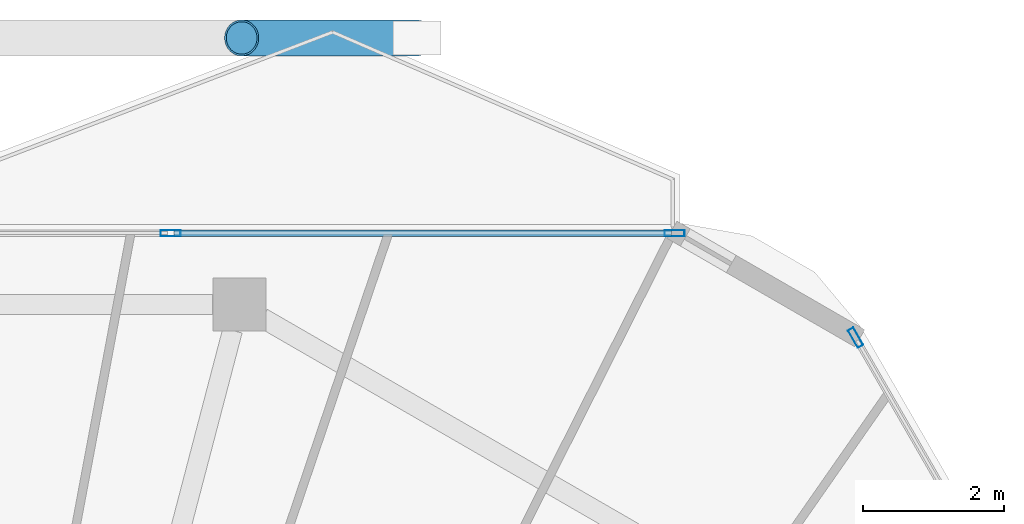
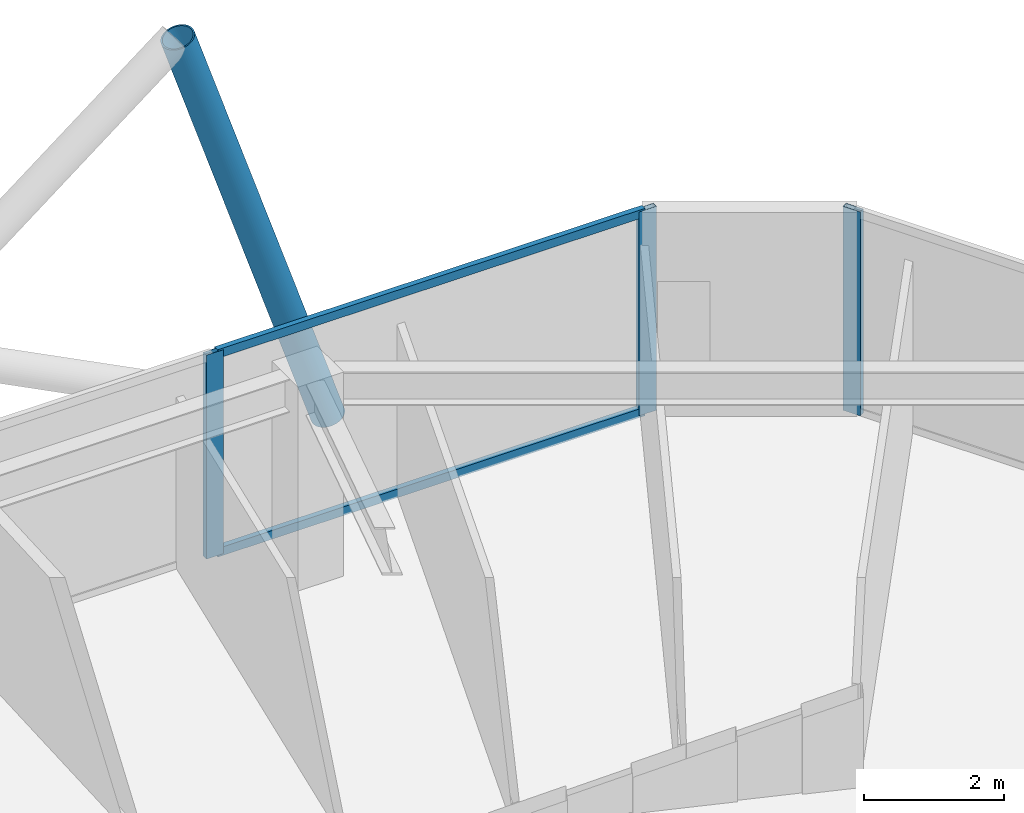
# One storey, part 14 of 23: 6 members, 2 elements without a shape of their own.
"""IFC4 building model written with IfcOpenShell, lengths in metres."""

from ifc_helpers import new_model, si_unit, direction, frame, origin, origin_2d, place, context, subcontext, project, spatial, hollow_rectangle, hollow_circle, extrude, material, material_profile, profile_set, type_object, element, aggregate, save


model = new_model("IFC4")

# Units and contexts
model_context = context("Model", 3, precision=1e-05, world=origin(), true_north=direction((0.0, 1.0)))
body_context = subcontext(model_context, "Body", "Model", "MODEL_VIEW")
ifc_project = project(units=[si_unit("LENGTHUNIT", "METRE"), si_unit("AREAUNIT", "SQUARE_METRE"), si_unit("VOLUMEUNIT", "CUBIC_METRE"), si_unit("PLANEANGLEUNIT", "RADIAN"), si_unit("MASSUNIT", "GRAM", prefix="KILO")], contexts=[model_context])

# Site, building, storey
site_placement = place(None, origin())
site = spatial("IfcSite", under=ifc_project, at=site_placement, CompositionType="ELEMENT")
building_placement = place(site_placement, origin())
building = spatial("IfcBuilding", under=site, at=building_placement, Name="Zuhravey Tower", CompositionType="ELEMENT")
storey_placement = place(building_placement, frame((0.0, 0.0, 346.199951171875)))
storey = spatial("IfcBuildingStorey", under=building, at=storey_placement, Name="L88", CompositionType="ELEMENT", Elevation=346.199951171875)

# Curtain wall, members
ifc_material_1 = material(Name="Thermally broken anodised aluminium", Category="aluminium")
curtain_wall_type = type_object("IfcCurtainWallType", Name="Zone 3-4 High-Rise Curtain Wall CW4", PredefinedType="NOTDEFINED", material=ifc_material_1)
curtain_wall_1_placement = place(storey_placement, origin())
curtain_wall_1 = element("IfcCurtainWall", 1, at=curtain_wall_1_placement, inside=storey, type_object=curtain_wall_type, Name="L88 CW4 CW-L88-F2-2", PredefinedType="NOTDEFINED")
ifc_material_2 = material(Name="Anodised aluminium", Category="aluminium")
ifc_material_profile_1 = material_profile(ifc_material_2, hollow_rectangle(XDim=0.090087890625, YDim=0.284912109375, WallThickness=0.0048828125, at=origin_2d()), Name="ALU-RHS-90x285x5")
ifc_profile_set_1 = profile_set([ifc_material_profile_1], Name="Anodised aluminium")
member_type_1 = type_object("IfcMemberType", Name="Curtain-Wall Mullion 90x180", PredefinedType="MULLION", material=ifc_profile_set_1)
member_1_placement = place(storey_placement, frame((41.068603515625, 56.07421875, 0.0), z_axis=(0.0, 0.0, 1.0), x_axis=(0.0, 1.0, 0.0)))
member_1 = element("IfcMember", 2, at=member_1_placement, type_object=member_type_1, Name="CW4 mullion 2", PredefinedType="MULLION", context=body_context, shape_type="SweptSolid", body=[
    extrude(hollow_rectangle(XDim=0.090087890625, YDim=0.284912109375, WallThickness=0.0048828125, at=origin_2d()), origin(), (0.0, 0.0, 1.0), 3.550048828125),
])
member_2_placement = place(storey_placement, frame((48.1943359375, 56.07421875, 0.0), z_axis=(0.0, 0.0, 1.0), x_axis=(0.0, 1.0, 0.0)))
member_2 = element("IfcMember", 3, at=member_2_placement, type_object=member_type_1, Name="CW4 mullion 3", PredefinedType="MULLION", context=body_context, shape_type="SweptSolid", body=[
    extrude(hollow_rectangle(XDim=0.090087890625, YDim=0.284912109375, WallThickness=0.0048828125, at=origin_2d()), origin(), (0.0, 0.0, 1.0), 3.550048828125),
])

# Curtain wall, member
curtain_wall_2_placement = place(storey_placement, origin())
curtain_wall_2 = element("IfcCurtainWall", 4, at=curtain_wall_2_placement, inside=storey, type_object=curtain_wall_type, Name="L88 CW4 CW-L88-F1-1", PredefinedType="NOTDEFINED")
member_3_placement = place(storey_placement, frame((50.751708984375, 54.59765625, 0.0), z_axis=(0.0, 0.0, 1.0), x_axis=(0.866025511541, 0.49999981336, 0.0)))
member_3 = element("IfcMember", 5, at=member_3_placement, type_object=member_type_1, Name="CW4 mullion 1", PredefinedType="MULLION", context=body_context, shape_type="SweptSolid", body=[
    extrude(hollow_rectangle(XDim=0.090087890625, YDim=0.284912109375, WallThickness=0.0048828125, at=origin_2d()), origin(), (0.0, 0.0, 1.0), 3.550048828125),
])
aggregate(curtain_wall_2, [member_3])

# Member
ifc_material_profile_2 = material_profile(ifc_material_2, hollow_rectangle(XDim=0.090087890625, YDim=0.14990234375, WallThickness=0.0048828125, at=origin_2d()), Name="ALU-RHS-90x150x5")
ifc_profile_set_2 = profile_set([ifc_material_profile_2], Name="Anodised aluminium")
member_type_2 = type_object("IfcMemberType", Name="Curtain-Wall Transom 90x150", PredefinedType="USERDEFINED", material=ifc_profile_set_2)
member_4_placement = place(storey_placement, frame((41.113525390625, 56.07421875, 0.045166015625), z_axis=(1.0, 0.0, 0.0), x_axis=(0.0, 1.0, 0.0)))
member_4 = element("IfcMember", 6, at=member_4_placement, type_object=member_type_2, Name="CW4 transom 2.1", ObjectType="TRANSOM", PredefinedType="USERDEFINED", context=body_context, shape_type="SweptSolid", body=[
    extrude(hollow_rectangle(XDim=0.090087890625, YDim=0.14990234375, WallThickness=0.0048828125, at=origin_2d()), origin(), (0.0, 0.0, 1.0), 7.035888671875),
])

member_5_placement = place(storey_placement, frame((41.113525390625, 56.07421875, 3.505126953125), z_axis=(1.0, 0.0, 0.0), x_axis=(0.0, 1.0, 0.0)))
member_5 = element("IfcMember", 7, at=member_5_placement, type_object=member_type_2, Name="CW4 transom 2.2", ObjectType="TRANSOM", PredefinedType="USERDEFINED", context=body_context, shape_type="SweptSolid", body=[
    extrude(hollow_rectangle(XDim=0.090087890625, YDim=0.14990234375, WallThickness=0.0048828125, at=origin_2d()), origin(), (0.0, 0.0, 1.0), 7.035888671875),
])

aggregate(curtain_wall_1, [member_1, member_2, member_4, member_5])

ifc_material_3 = material(Name="Steel SM355", Category="steel")
ifc_material_profile_3 = material_profile(ifc_material_3, hollow_circle(Radius=0.25390625, WallThickness=0.02490234375, at=origin_2d()), Name="CHS-508.0x25")
ifc_profile_set_3 = profile_set([ifc_material_profile_3], Name="Steel SM355")
member_type_3 = type_object("IfcMemberType", Name="Exoskeleton Zone 4 Diagrid CHS508x25", PredefinedType="BRACE", material=ifc_profile_set_3)
member_6_placement = place(storey_placement, frame((44.544189453125, 58.833984375, -0.447998046875), z_axis=(-0.315507707743, 0.0, 0.948923013924), x_axis=(0.0, -1.0, 0.0)))
element("IfcMember", 8, at=member_6_placement, inside=storey, type_object=member_type_3, Name="L88 Face 2 Diagrid Brace 1", PredefinedType="BRACE", context=body_context, shape_type="SweptSolid", body=[
    extrude(hollow_circle(Radius=0.25390625, WallThickness=0.02490234375, at=origin_2d()), origin(), (0.0, 0.0, 1.0), 7.833251953125),
])

save(model, "model.ifc")
